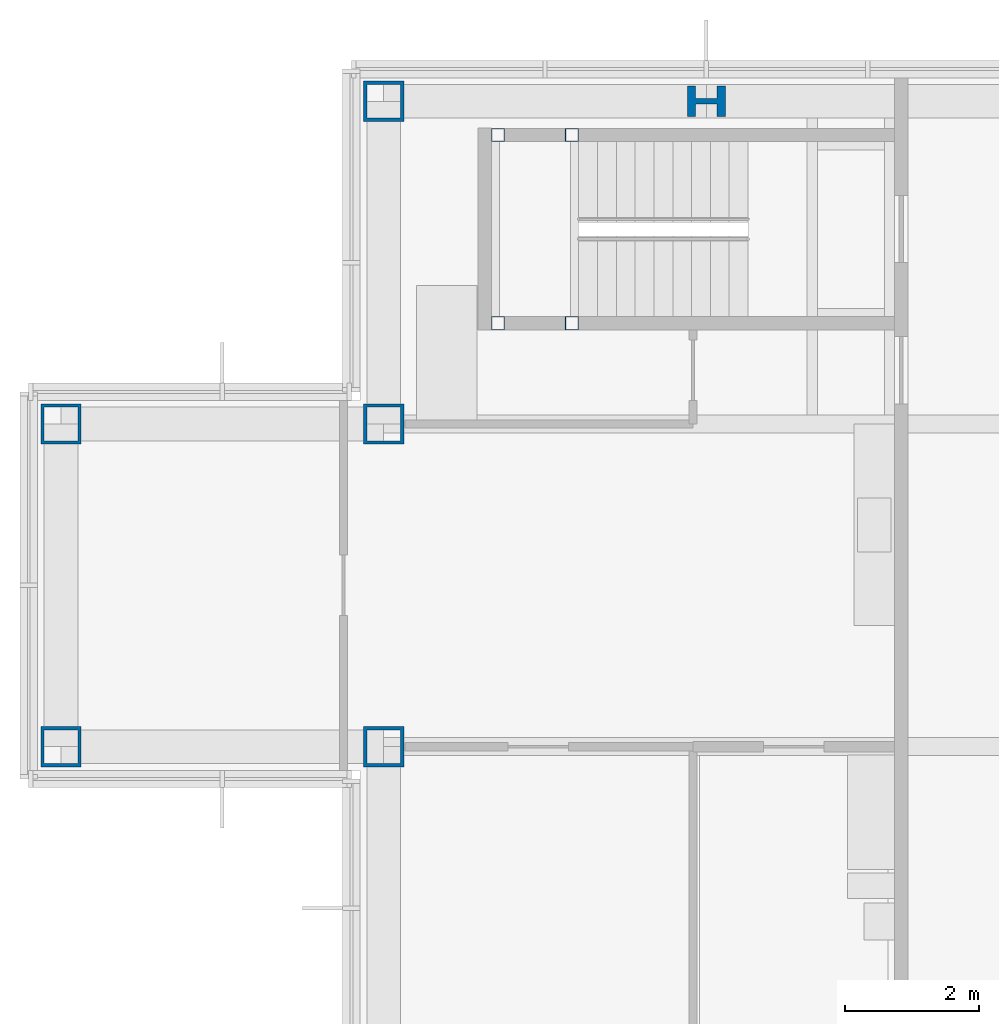
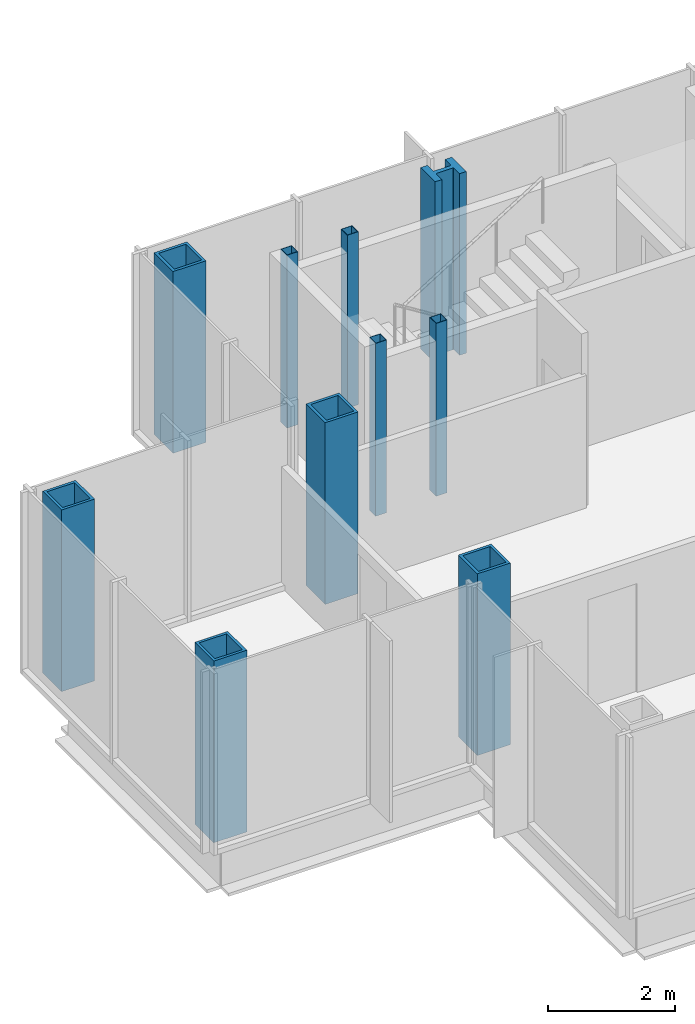
# One storey, part 3 of 15: 10 columns.
"""IFC4 building model written with IfcOpenShell, lengths in metres."""

from ifc_helpers import new_model, si_unit, direction, frame, origin, origin_2d, place, context, subcontext, project, spatial, hollow_rectangle, i_section, extrude, material, material_profile, profile_set, type_object, element, save


model = new_model("IFC4")

# Units and contexts
model_context = context("Model", 3, precision=1e-05, world=origin(), true_north=direction((0.0, 1.0)))
body_context = subcontext(model_context, "Body", "Model", "MODEL_VIEW")
ifc_project = project(units=[si_unit("LENGTHUNIT", "METRE"), si_unit("AREAUNIT", "SQUARE_METRE"), si_unit("VOLUMEUNIT", "CUBIC_METRE"), si_unit("PLANEANGLEUNIT", "RADIAN"), si_unit("MASSUNIT", "GRAM", prefix="KILO")], contexts=[model_context])

# Site, building, storey
site_placement = place(None, origin())
site = spatial("IfcSite", under=ifc_project, at=site_placement, CompositionType="ELEMENT")
building_placement = place(site_placement, origin())
building = spatial("IfcBuilding", under=site, at=building_placement, Name="Kvirike Care Tower", CompositionType="ELEMENT")
storey_placement = place(building_placement, frame((0.0, 0.0, 215.5)))
storey = spatial("IfcBuildingStorey", under=building, at=storey_placement, Name="L59", CompositionType="ELEMENT", Elevation=215.5)

# Columns
ifc_material_1 = material(Name="Steel S460", Category="steel")
ifc_material_profile_1 = material_profile(ifc_material_1, hollow_rectangle(XDim=0.60009765625, YDim=0.60009765625, WallThickness=0.050048828125, at=origin_2d()), Name="BX 600x600x50")
ifc_profile_set_1 = profile_set([ifc_material_profile_1], Name="Steel S460")
column_type_1 = type_object("IfcColumnType", Name="COLUMN BX 600x600x50", PredefinedType="COLUMN", material=ifc_profile_set_1)
for number, where, z_axis, x_axis, name in (
    (1, (0.0, 33.60009765625, 0.0), (0.0, 0.0, 1.0), (0.0, 1.0, 0.0), "Column H3 L59"),
    (2, (0.0, 38.39990234375, 0.0), (0.0, 0.0, 1.0), (0.0, 1.0, 0.0), "Column J3 L59"),
    (3, (4.800048828125, 33.60009765625, 0.0), (0.0, 0.0, 1.0), (0.0, 1.0, 0.0), "Column H4 L59"),
    (4, (4.800048828125, 38.39990234375, 0.0), (0.0, 0.0, 1.0), (0.0, 1.0, 0.0), "Column J4 L59"),
    (5, (4.800048828125, 43.199951171875, 0.0), (0.0, 0.0, 1.0), (0.0, 1.0, 0.0), "Column K4 L59"),
):
    element("IfcColumn", number, at=place(storey_placement, frame(where, z_axis=z_axis, x_axis=x_axis)), inside=storey, type_object=column_type_1, Name=name, PredefinedType="COLUMN", context=body_context, shape_type="SweptSolid", body=[
        extrude(hollow_rectangle(XDim=0.60009765625, YDim=0.60009765625, WallThickness=0.050048828125, at=origin_2d()), origin(), (0.0, 0.0, 1.0), 3.5),
    ])
ifc_material_2 = material(Name="Steel S460", Category="steel")
ifc_material_profile_2 = material_profile(ifc_material_2, i_section(OverallWidth=0.4541015625, OverallDepth=0.569091796875, WebThickness=0.077880859375, FlangeThickness=0.125, FilletRadius=0.014892578125, at=origin_2d()), Name="HD 400x1086")
ifc_profile_set_2 = profile_set([ifc_material_profile_2], Name="Steel S460")
column_type_2 = type_object("IfcColumnType", Name="COLUMN HD 400x1086", PredefinedType="COLUMN", material=ifc_profile_set_2)
column_placement = place(storey_placement, frame((9.60009765625, 43.199951171875, 0.0), z_axis=(0.0, 0.0, 1.0), x_axis=(0.0, 1.0, 0.0)))
element("IfcColumn", 6, at=column_placement, inside=storey, type_object=column_type_2, Name="Column K5 L59", PredefinedType="COLUMN", context=body_context, shape_type="SweptSolid", body=[
    extrude(i_section(OverallWidth=0.4541015625, OverallDepth=0.569091796875, WebThickness=0.077880859375, FlangeThickness=0.125, FilletRadius=0.014892578125, at=origin_2d()), origin(), (0.0, 0.0, 1.0), 3.5),
])
ifc_material_3 = material(Name="Steel S460", Category="steel")
ifc_material_profile_3 = material_profile(ifc_material_3, hollow_rectangle(XDim=0.199951171875, YDim=0.199951171875, WallThickness=0.008056640625, at=origin_2d()), Name="SHS 200x200x8")
ifc_profile_set_3 = profile_set([ifc_material_profile_3], Name="Steel S460")
column_type_3 = type_object("IfcColumnType", Name="STAIR POST SHS 200x200x8", PredefinedType="COLUMN", material=ifc_profile_set_3)
for number, where, z_axis, x_axis, name in (
    (7, (6.5, 42.699951171875, 0.0), (0.0, 0.0, 1.0), (1.0, 0.0, 0.0), "Stair 1 post 1 L59"),
    (8, (6.5, 39.89990234375, 0.0), (0.0, 0.0, 1.0), (1.0, 0.0, 0.0), "Stair 1 post 2 L59"),
    (9, (7.60009765625, 42.699951171875, 0.0), (0.0, 0.0, 1.0), (1.0, 0.0, 0.0), "Stair 1 post 3 L59"),
    (10, (7.60009765625, 39.89990234375, 0.0), (0.0, 0.0, 1.0), (1.0, 0.0, 0.0), "Stair 1 post 4 L59"),
):
    element("IfcColumn", number, at=place(storey_placement, frame(where, z_axis=z_axis, x_axis=x_axis)), inside=storey, type_object=column_type_3, Name=name, PredefinedType="COLUMN", context=body_context, shape_type="SweptSolid", body=[
        extrude(hollow_rectangle(XDim=0.199951171875, YDim=0.199951171875, WallThickness=0.008056640625, at=origin_2d()), origin(), (0.0, 0.0, 1.0), 3.330078125),
    ])

save(model, "model.ifc")
